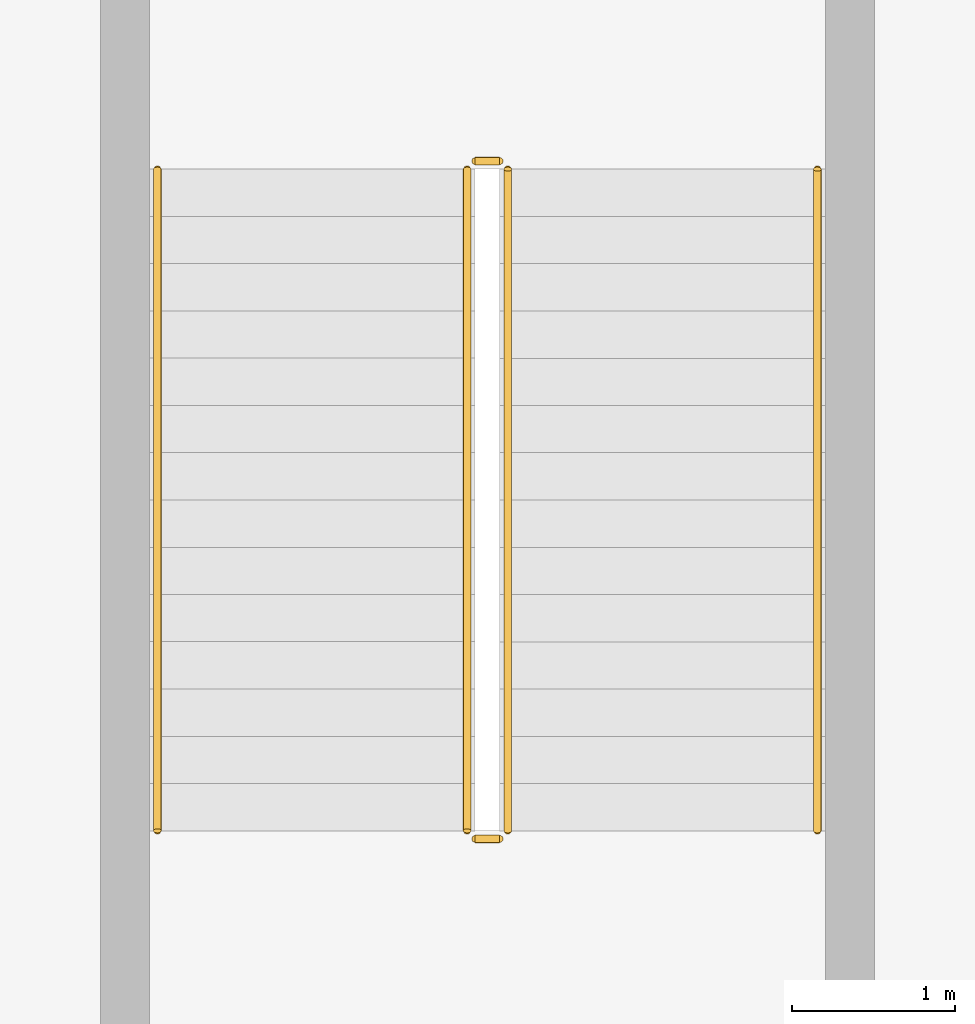
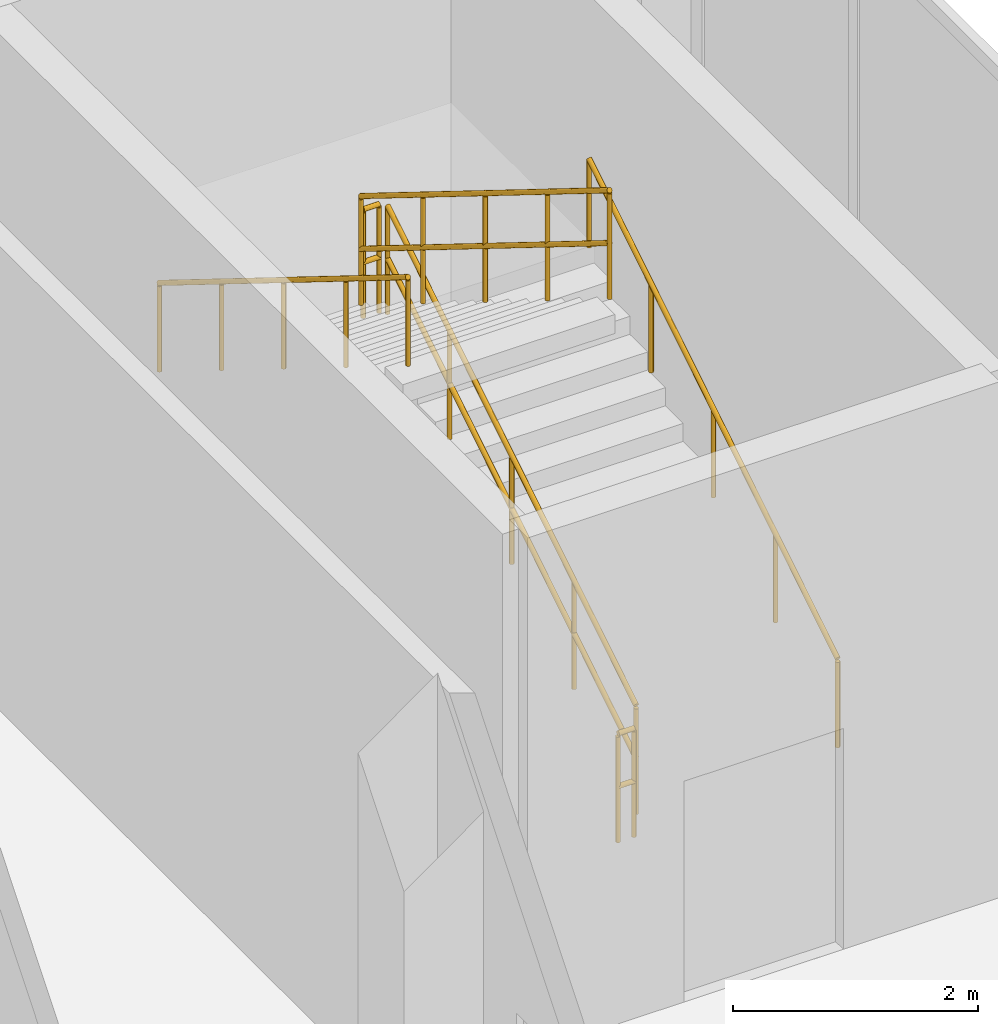
# One storey, part 106 of 114: 6 railings.
"""IFC4 building model written with IfcOpenShell, lengths in metres."""

from ifc_helpers import new_model, si_unit, direction, frame, origin, origin_2d, place, context, subcontext, project, spatial, circle, extrude, material, layer, layer_set, type_object, element, save


model = new_model("IFC4")

# Units and contexts
model_context = context("Model", 3, precision=1e-05, world=origin(), true_north=direction((0.0, 1.0)))
body_context = subcontext(model_context, "Body", "Model", "MODEL_VIEW")
ifc_project = project(units=[si_unit("LENGTHUNIT", "METRE"), si_unit("AREAUNIT", "SQUARE_METRE"), si_unit("VOLUMEUNIT", "CUBIC_METRE"), si_unit("PLANEANGLEUNIT", "RADIAN"), si_unit("MASSUNIT", "GRAM", prefix="KILO")], contexts=[model_context])

# Site, building, storey
site_placement = place(None, origin())
site = spatial("IfcSite", under=ifc_project, at=site_placement, CompositionType="ELEMENT")
building_placement = place(site_placement, origin())
building = spatial("IfcBuilding", under=site, at=building_placement, Name="Candeia Ridge Stadium", CompositionType="ELEMENT")
storey_placement = place(building_placement, frame((0.0, 0.0, 5.39990234375)))
storey = spatial("IfcBuildingStorey", under=building, at=storey_placement, Name="L01", CompositionType="ELEMENT", Elevation=5.39990234375)

# Railings
ifc_material_1 = material(Name="Brushed Stainless Steel", Category="steel")
ifc_layer_1 = layer(ifc_material_1, 0.048095703125, Name="Brushed Stainless Steel", Category="steel")
ifc_layer_set_1 = layer_set([ifc_layer_1], Name="Brushed Stainless Steel")
railing_type_1 = type_object("IfcRailingType", Name="Stair Wall & Flight Handrail 900", PredefinedType="HANDRAIL", material=ifc_layer_set_1)
railing_1_placement = place(storey_placement, frame((208.449951171875, 69.0, 0.18017578125)))
element("IfcRailing", 1, at=railing_1_placement, inside=storey, type_object=railing_type_1, Name="L01 ST16 stair handrail 1", PredefinedType="HANDRAIL", context=body_context, shape_type="SweptSolid", body=[
    extrude(circle(Radius=0.02392578125, at=origin_2d()), frame((0.0, 0.0, 0.8759765625), z_axis=(0.0, 0.849641744969, 0.527360318194), x_axis=(-1.0, 0.0, 0.0)), (0.0, 0.0, 1.0), 4.778564453125),
    extrude(circle(Radius=0.02099609375, at=origin_2d()), origin(), (0.0, 0.0, 1.0), 0.851806640625),
    extrude(circle(Radius=0.02099609375, at=origin_2d()), frame((0.0, 1.01513671875, 0.6298828125)), (0.0, 0.0, 1.0), 0.851806640625),
    extrude(circle(Radius=0.02099609375, at=origin_2d()), frame((0.0, 2.030029296875, 1.260009765625)), (0.0, 0.0, 1.0), 0.851806640625),
    extrude(circle(Radius=0.02099609375, at=origin_2d()), frame((0.0, 3.044921875, 1.89013671875)), (0.0, 0.0, 1.0), 0.851806640625),
    extrude(circle(Radius=0.02099609375, at=origin_2d()), frame((0.0, 4.06005859375, 2.52001953125)), (0.0, 0.0, 1.0), 0.851806640625),
])
railing_2_placement = place(storey_placement, frame((204.39990234375, 73.06005859375, 2.880126953125)))
element("IfcRailing", 2, at=railing_2_placement, inside=storey, type_object=railing_type_1, Name="L01 ST16 stair handrail 2", PredefinedType="HANDRAIL", context=body_context, shape_type="SweptSolid", body=[
    extrude(circle(Radius=0.02392578125, at=origin_2d()), frame((0.0, 0.0, 0.8759765625), z_axis=(0.0, -0.849641744969, 0.527360318194), x_axis=(1.0, 0.0, 0.0)), (0.0, 0.0, 1.0), 4.778564453125),
    extrude(circle(Radius=0.02099609375, at=origin_2d()), origin(), (0.0, 0.0, 1.0), 0.851806640625),
    extrude(circle(Radius=0.02099609375, at=origin_2d()), frame((0.0, -1.01513671875, 0.6298828125)), (0.0, 0.0, 1.0), 0.851806640625),
    extrude(circle(Radius=0.02099609375, at=origin_2d()), frame((0.0, -2.030029296875, 1.260009765625)), (0.0, 0.0, 1.0), 0.851806640625),
    extrude(circle(Radius=0.02099609375, at=origin_2d()), frame((0.0, -3.044921875, 1.89013671875)), (0.0, 0.0, 1.0), 0.851806640625),
    extrude(circle(Radius=0.02099609375, at=origin_2d()), frame((0.0, -4.06005859375, 2.52001953125)), (0.0, 0.0, 1.0), 0.851806640625),
])
ifc_material_2 = material(Name="Galvanized Powder-Coated Steel", Category="steel")
ifc_layer_2 = layer(ifc_material_2, 0.06005859375, Name="Galvanized Powder-Coated Steel", Category="steel")
ifc_layer_set_2 = layer_set([ifc_layer_2], Name="Galvanized Powder-Coated Steel")
railing_type_2 = type_object("IfcRailingType", Name="Stair Well Guardrail 1100", PredefinedType="GUARDRAIL", material=ifc_layer_set_2)
railing_3_placement = place(storey_placement, frame((206.550048828125, 69.0, 0.18017578125)))
element("IfcRailing", 3, at=railing_3_placement, inside=storey, type_object=railing_type_2, Name="L01 ST16 stair guard 1", PredefinedType="GUARDRAIL", context=body_context, shape_type="SweptSolid", body=[
    extrude(circle(Radius=0.02392578125, at=origin_2d()), frame((0.0, 0.0, 1.076171875), z_axis=(0.0, 0.849641744969, 0.527360318194), x_axis=(-1.0, 0.0, 0.0)), (0.0, 0.0, 1.0), 4.778564453125),
    extrude(circle(Radius=0.02392578125, at=origin_2d()), frame((0.0, 0.0, 0.550048828125), z_axis=(0.0, 0.849641744969, 0.527360318194), x_axis=(-1.0, 0.0, 0.0)), (0.0, 0.0, 1.0), 4.778564453125),
    extrude(circle(Radius=0.02099609375, at=origin_2d()), origin(), (0.0, 0.0, 1.0), 1.052001953125),
    extrude(circle(Radius=0.02099609375, at=origin_2d()), frame((0.0, 1.01513671875, 0.6298828125)), (0.0, 0.0, 1.0), 1.052001953125),
    extrude(circle(Radius=0.02099609375, at=origin_2d()), frame((0.0, 2.030029296875, 1.260009765625)), (0.0, 0.0, 1.0), 1.052001953125),
    extrude(circle(Radius=0.02099609375, at=origin_2d()), frame((0.0, 3.044921875, 1.89013671875)), (0.0, 0.0, 1.0), 1.052001953125),
    extrude(circle(Radius=0.02099609375, at=origin_2d()), frame((0.0, 4.06005859375, 2.52001953125)), (0.0, 0.0, 1.0), 1.052001953125),
])
railing_4_placement = place(storey_placement, frame((206.5, 73.110107421875, 2.7001953125)))
element("IfcRailing", 4, at=railing_4_placement, inside=storey, type_object=railing_type_2, Name="L01 ST16 stair guard 2", PredefinedType="GUARDRAIL", context=body_context, shape_type="SweptSolid", body=[
    extrude(circle(Radius=0.02392578125, at=origin_2d()), frame((0.0, 0.0, 1.076171875), z_axis=(-1.0, 0.0, 0.0), x_axis=(0.0, -1.0, 0.0)), (0.0, 0.0, 1.0), 0.14990234375),
    extrude(circle(Radius=0.02392578125, at=origin_2d()), frame((0.0, 0.0, 0.550048828125), z_axis=(-1.0, 0.0, 0.0), x_axis=(0.0, -1.0, 0.0)), (0.0, 0.0, 1.0), 0.14990234375),
    extrude(circle(Radius=0.02099609375, at=origin_2d()), origin(), (0.0, 0.0, 1.0), 1.052001953125),
    extrude(circle(Radius=0.02099609375, at=origin_2d()), frame((-0.14990234375, 0.0, 0.0)), (0.0, 0.0, 1.0), 1.052001953125),
])
railing_5_placement = place(storey_placement, frame((206.300048828125, 73.06005859375, 2.880126953125)))
element("IfcRailing", 5, at=railing_5_placement, inside=storey, type_object=railing_type_2, Name="L01 ST16 stair guard 3", PredefinedType="GUARDRAIL", context=body_context, shape_type="SweptSolid", body=[
    extrude(circle(Radius=0.02392578125, at=origin_2d()), frame((0.0, 0.0, 1.076171875), z_axis=(0.0, -0.849641744969, 0.527360318194), x_axis=(1.0, 0.0, 0.0)), (0.0, 0.0, 1.0), 4.778564453125),
    extrude(circle(Radius=0.02392578125, at=origin_2d()), frame((0.0, 0.0, 0.550048828125), z_axis=(0.0, -0.849641744969, 0.527360318194), x_axis=(1.0, 0.0, 0.0)), (0.0, 0.0, 1.0), 4.778564453125),
    extrude(circle(Radius=0.02099609375, at=origin_2d()), origin(), (0.0, 0.0, 1.0), 1.052001953125),
    extrude(circle(Radius=0.02099609375, at=origin_2d()), frame((0.0, -1.01513671875, 0.6298828125)), (0.0, 0.0, 1.0), 1.052001953125),
    extrude(circle(Radius=0.02099609375, at=origin_2d()), frame((0.0, -2.030029296875, 1.260009765625)), (0.0, 0.0, 1.0), 1.052001953125),
    extrude(circle(Radius=0.02099609375, at=origin_2d()), frame((0.0, -3.044921875, 1.89013671875)), (0.0, 0.0, 1.0), 1.052001953125),
    extrude(circle(Radius=0.02099609375, at=origin_2d()), frame((0.0, -4.06005859375, 2.52001953125)), (0.0, 0.0, 1.0), 1.052001953125),
])
railing_6_placement = place(storey_placement, frame((206.5, 68.949951171875, 0.0)))
element("IfcRailing", 6, at=railing_6_placement, inside=storey, type_object=railing_type_2, Name="L01 ST16 stair guard 4", PredefinedType="GUARDRAIL", context=body_context, shape_type="SweptSolid", body=[
    extrude(circle(Radius=0.02392578125, at=origin_2d()), frame((0.0, 0.0, 1.076171875), z_axis=(-1.0, 0.0, 0.0), x_axis=(0.0, -1.0, 0.0)), (0.0, 0.0, 1.0), 0.14990234375),
    extrude(circle(Radius=0.02392578125, at=origin_2d()), frame((0.0, 0.0, 0.550048828125), z_axis=(-1.0, 0.0, 0.0), x_axis=(0.0, -1.0, 0.0)), (0.0, 0.0, 1.0), 0.14990234375),
    extrude(circle(Radius=0.02099609375, at=origin_2d()), origin(), (0.0, 0.0, 1.0), 1.052001953125),
    extrude(circle(Radius=0.02099609375, at=origin_2d()), frame((-0.14990234375, 0.0, 0.0)), (0.0, 0.0, 1.0), 1.052001953125),
])

save(model, "model.ifc")
